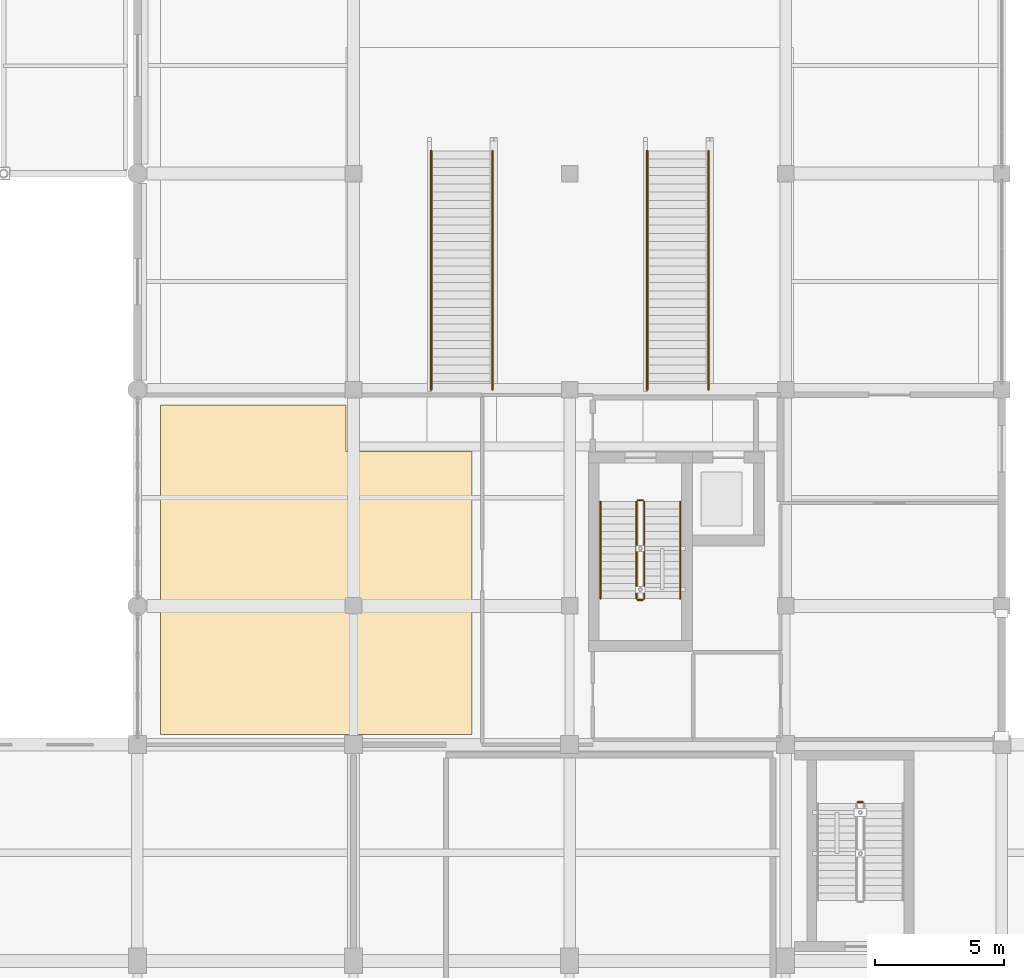
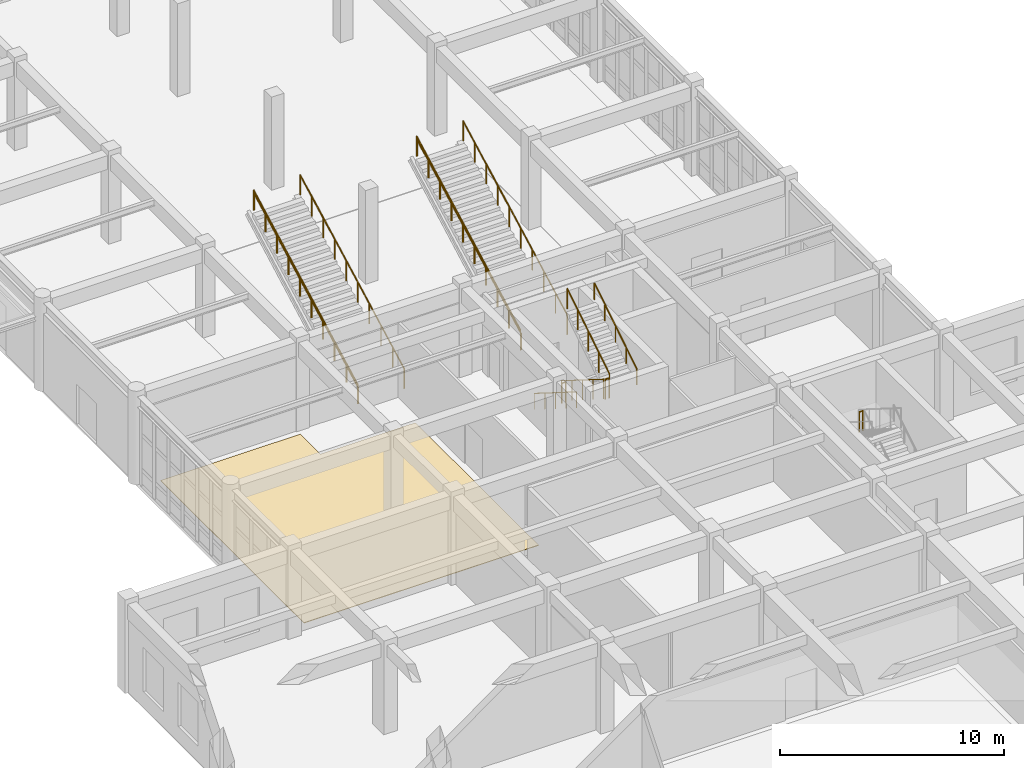
# One storey, part 75 of 80: 13 railings, 1 covering.
"""IFC4 building model written with IfcOpenShell, lengths in metres."""

from ifc_helpers import new_model, si_unit, direction, frame, origin, origin_2d, place, context, subcontext, project, spatial, polyline, circle, outline, extrude, material, layer, layer_set, type_object, element, save


model = new_model("IFC4")

# Units and contexts
model_context = context("Model", 3, precision=1e-05, world=origin(), true_north=direction((0.0, 1.0)))
body_context = subcontext(model_context, "Body", "Model", "MODEL_VIEW")
ifc_project = project(units=[si_unit("LENGTHUNIT", "METRE"), si_unit("AREAUNIT", "SQUARE_METRE"), si_unit("VOLUMEUNIT", "CUBIC_METRE"), si_unit("PLANEANGLEUNIT", "RADIAN"), si_unit("MASSUNIT", "GRAM", prefix="KILO")], contexts=[model_context])

# Site, building, storey
site_placement = place(None, origin())
site = spatial("IfcSite", under=ifc_project, at=site_placement, CompositionType="ELEMENT")
building_placement = place(site_placement, origin())
building = spatial("IfcBuilding", under=site, at=building_placement, Name="Krzemoval Escarpment Law Courts", CompositionType="ELEMENT")
storey_placement = place(building_placement, origin())
storey = spatial("IfcBuildingStorey", under=building, at=storey_placement, Name="L00", CompositionType="ELEMENT", Elevation=0.0)

# Covering
ifc_material_1 = material(Name="Honed Silesian Granite Stone Flooring", Category="masonry")
ifc_layer = layer(ifc_material_1, 0.030029296875)
ifc_layer_set = layer_set([ifc_layer], Name="Honed Silesian Granite Stone Flooring")
covering_type = type_object("IfcCoveringType", Name="COV-FLR-STN30", PredefinedType="FLOORING", material=ifc_layer_set)
covering_placement = place(storey_placement, origin())
element("IfcCovering", 1, at=covering_placement, inside=storey, type_object=covering_type, Name="Stone Floor Finish FLR-L00-06", PredefinedType="FLOORING", context=body_context, shape_type="SweptSolid", body=[
    extrude(outline(polyline([(21.39990234375, 35.800048828125), (9.300048828125, 35.800048828125), (9.300048828125, 48.60009765625), (16.5, 48.60009765625), (16.5, 46.800048828125), (21.39990234375, 46.800048828125), (21.39990234375, 35.800048828125)])), origin(), (0.0, 0.0, 1.0), 0.030029296875),
])

# Railings
ifc_material_2 = material(Name="Stainless Steel Grade 316L and Laminated Safety Glass Guard", Category="steel")
railing_type_1 = type_object("IfcRailingType", Name="RL-BAL-1100", PredefinedType="BALUSTRADE", material=ifc_material_2)
for number, where, name in (
    (2, (19.800048828125, 49.199951171875, 0.169921875), "Feature Stair Guard ST7-L00 L"),
    (3, (22.199951171875, 49.199951171875, 0.169921875), "Feature Stair Guard ST7-L00 R"),
    (4, (28.199951171875, 49.199951171875, 0.169921875), "Feature Stair Guard ST8-L00 L"),
    (5, (30.60009765625, 49.199951171875, 0.169921875), "Feature Stair Guard ST8-L00 R"),
):
    element("IfcRailing", number, at=place(storey_placement, frame(where)), inside=storey, type_object=railing_type_1, Name=name, PredefinedType="BALUSTRADE", context=body_context, shape_type="SweptSolid", body=[
        extrude(circle(Radius=0.02392578125, at=origin_2d()), frame((0.0, 0.0, 1.076171875), z_axis=(0.0, 0.883109402409, 0.469167116683), x_axis=(-1.0, 0.0, 0.0)), (0.0, 0.0, 1.0), 10.50830078125),
        extrude(circle(Radius=0.02099609375, at=origin_2d()), origin(), (0.0, 0.0, 1.0), 1.052001953125),
        extrude(circle(Radius=0.02099609375, at=origin_2d()), frame((0.0, 1.031005859375, 0.5478515625)), (0.0, 0.0, 1.0), 1.052001953125),
        extrude(circle(Radius=0.02099609375, at=origin_2d()), frame((0.0, 2.062255859375, 1.095703125)), (0.0, 0.0, 1.0), 1.052001953125),
        extrude(circle(Radius=0.02099609375, at=origin_2d()), frame((0.0, 3.09326171875, 1.643310546875)), (0.0, 0.0, 1.0), 1.052001953125),
        extrude(circle(Radius=0.02099609375, at=origin_2d()), frame((0.0, 4.12451171875, 2.191162109375)), (0.0, 0.0, 1.0), 1.052001953125),
        extrude(circle(Radius=0.02099609375, at=origin_2d()), frame((0.0, 5.155517578125, 2.739013671875)), (0.0, 0.0, 1.0), 1.052001953125),
        extrude(circle(Radius=0.02099609375, at=origin_2d()), frame((0.0, 6.186767578125, 3.286865234375)), (0.0, 0.0, 1.0), 1.052001953125),
        extrude(circle(Radius=0.02099609375, at=origin_2d()), frame((0.0, 7.2177734375, 3.83447265625)), (0.0, 0.0, 1.0), 1.052001953125),
        extrude(circle(Radius=0.02099609375, at=origin_2d()), frame((0.0, 8.2490234375, 4.38232421875)), (0.0, 0.0, 1.0), 1.052001953125),
        extrude(circle(Radius=0.02099609375, at=origin_2d()), frame((0.0, 9.280029296875, 4.93017578125)), (0.0, 0.0, 1.0), 1.052001953125),
    ])
ifc_material_3 = material(Name="Galvanised Steel S355", Category="steel")
railing_type_2 = type_object("IfcRailingType", Name="RL-GRD-1100", PredefinedType="GUARDRAIL", material=ifc_material_3)
railing_1_placement = place(storey_placement, frame((27.800048828125, 44.85009765625, 0.18212890625)))
element("IfcRailing", 6, at=railing_1_placement, inside=storey, type_object=railing_type_2, Name="L00 ST5 stair guard 1", PredefinedType="GUARDRAIL", context=body_context, shape_type="SweptSolid", body=[
    extrude(circle(Radius=0.02392578125, at=origin_2d()), frame((0.0, 0.0, 1.076171875), z_axis=(0.0, -0.846819337722, 0.53188063441), x_axis=(1.0, 0.0, 0.0)), (0.0, 0.0, 1.0), 4.451904296875),
    extrude(circle(Radius=0.02099609375, at=origin_2d()), origin(), (0.0, 0.0, 1.0), 1.052001953125),
    extrude(circle(Radius=0.02099609375, at=origin_2d()), frame((0.0, -0.9423828125, 0.592041015625)), (0.0, 0.0, 1.0), 1.052001953125),
    extrude(circle(Radius=0.02099609375, at=origin_2d()), frame((0.0, -1.885009765625, 1.18408203125)), (0.0, 0.0, 1.0), 1.052001953125),
    extrude(circle(Radius=0.02099609375, at=origin_2d()), frame((0.0, -2.82763671875, 1.77587890625)), (0.0, 0.0, 1.0), 1.052001953125),
    extrude(circle(Radius=0.02099609375, at=origin_2d()), frame((0.0, -3.77001953125, 2.367919921875)), (0.0, 0.0, 1.0), 1.052001953125),
])
railing_2_placement = place(storey_placement, frame((27.85009765625, 41.030029296875, 2.550048828125)))
element("IfcRailing", 7, at=railing_2_placement, inside=storey, type_object=railing_type_2, Name="L00 ST5 stair guard 2", PredefinedType="GUARDRAIL", context=body_context, shape_type="SweptSolid", body=[
    extrude(circle(Radius=0.02392578125, at=origin_2d()), frame((0.0, 0.0, 1.076171875), z_axis=(1.0, 0.0, 0.0), x_axis=(0.0, 1.0, 0.0)), (0.0, 0.0, 1.0), 0.199951171875),
    extrude(circle(Radius=0.02099609375, at=origin_2d()), origin(), (0.0, 0.0, 1.0), 1.052001953125),
    extrude(circle(Radius=0.02099609375, at=origin_2d()), frame((0.199951171875, 0.0, 0.0)), (0.0, 0.0, 1.0), 1.052001953125),
])
railing_3_placement = place(storey_placement, frame((28.10009765625, 41.080078125, 2.732177734375)))
element("IfcRailing", 8, at=railing_3_placement, inside=storey, type_object=railing_type_2, Name="L00 ST5 stair guard 3", PredefinedType="GUARDRAIL", context=body_context, shape_type="SweptSolid", body=[
    extrude(circle(Radius=0.02392578125, at=origin_2d()), frame((0.0, 0.0, 1.076171875), z_axis=(0.0, 0.846819337722, 0.53188063441), x_axis=(-1.0, 0.0, 0.0)), (0.0, 0.0, 1.0), 4.451904296875),
    extrude(circle(Radius=0.02099609375, at=origin_2d()), origin(), (0.0, 0.0, 1.0), 1.052001953125),
    extrude(circle(Radius=0.02099609375, at=origin_2d()), frame((0.0, 0.9423828125, 0.592041015625)), (0.0, 0.0, 1.0), 1.052001953125),
    extrude(circle(Radius=0.02099609375, at=origin_2d()), frame((0.0, 1.885009765625, 1.18408203125)), (0.0, 0.0, 1.0), 1.052001953125),
    extrude(circle(Radius=0.02099609375, at=origin_2d()), frame((0.0, 2.82763671875, 1.77587890625)), (0.0, 0.0, 1.0), 1.052001953125),
    extrude(circle(Radius=0.02099609375, at=origin_2d()), frame((0.0, 3.77001953125, 2.367919921875)), (0.0, 0.0, 1.0), 1.052001953125),
])
railing_4_placement = place(storey_placement, frame((27.85009765625, 44.89990234375, 0.0)))
element("IfcRailing", 9, at=railing_4_placement, inside=storey, type_object=railing_type_2, Name="L00 ST5 stair guard 4", PredefinedType="GUARDRAIL", context=body_context, shape_type="SweptSolid", body=[
    extrude(circle(Radius=0.02392578125, at=origin_2d()), frame((0.0, 0.0, 1.076171875), z_axis=(1.0, 0.0, 0.0), x_axis=(0.0, 1.0, 0.0)), (0.0, 0.0, 1.0), 0.199951171875),
    extrude(circle(Radius=0.02099609375, at=origin_2d()), origin(), (0.0, 0.0, 1.0), 1.052001953125),
    extrude(circle(Radius=0.02099609375, at=origin_2d()), frame((0.199951171875, 0.0, 0.0)), (0.0, 0.0, 1.0), 1.052001953125),
])
railing_5_placement = place(storey_placement, frame((36.60009765625, 33.169921875, 2.550048828125)))
element("IfcRailing", 10, at=railing_5_placement, inside=storey, type_object=railing_type_2, Name="L00 ST9 stair guard 2", PredefinedType="GUARDRAIL", context=body_context, shape_type="SweptSolid", body=[
    extrude(circle(Radius=0.02392578125, at=origin_2d()), frame((0.0, 0.0, 1.076171875), z_axis=(-1.0, 0.0, 0.0), x_axis=(0.0, -1.0, 0.0)), (0.0, 0.0, 1.0), 0.2001953125),
    extrude(circle(Radius=0.02099609375, at=origin_2d()), origin(), (0.0, 0.0, 1.0), 1.052001953125),
    extrude(circle(Radius=0.02099609375, at=origin_2d()), frame((-0.2001953125, 0.0, 0.0)), (0.0, 0.0, 1.0), 1.052001953125),
])
ifc_material_4 = material(Name="Brushed Stainless Steel Grade 304 Handrail", Category="steel")
railing_type_3 = type_object("IfcRailingType", Name="RL-HND-900", PredefinedType="HANDRAIL", material=ifc_material_4)
railing_6_placement = place(storey_placement, frame((26.39990234375, 44.85009765625, 0.18212890625)))
element("IfcRailing", 11, at=railing_6_placement, inside=storey, type_object=railing_type_3, Name="L00 ST5 stair handrail 1", PredefinedType="HANDRAIL", context=body_context, shape_type="SweptSolid", body=[
    extrude(circle(Radius=0.02392578125, at=origin_2d()), frame((0.0, 0.0, 0.8759765625), z_axis=(0.0, -0.846819337722, 0.53188063441), x_axis=(1.0, 0.0, 0.0)), (0.0, 0.0, 1.0), 4.451904296875),
    extrude(circle(Radius=0.02099609375, at=origin_2d()), origin(), (0.0, 0.0, 1.0), 0.851806640625),
    extrude(circle(Radius=0.02099609375, at=origin_2d()), frame((0.0, -0.9423828125, 0.592041015625)), (0.0, 0.0, 1.0), 0.851806640625),
    extrude(circle(Radius=0.02099609375, at=origin_2d()), frame((0.0, -1.885009765625, 1.18408203125)), (0.0, 0.0, 1.0), 0.851806640625),
    extrude(circle(Radius=0.02099609375, at=origin_2d()), frame((0.0, -2.82763671875, 1.77587890625)), (0.0, 0.0, 1.0), 0.851806640625),
    extrude(circle(Radius=0.02099609375, at=origin_2d()), frame((0.0, -3.77001953125, 2.367919921875)), (0.0, 0.0, 1.0), 0.851806640625),
])
railing_7_placement = place(storey_placement, frame((29.5, 41.080078125, 2.732177734375)))
element("IfcRailing", 12, at=railing_7_placement, inside=storey, type_object=railing_type_3, Name="L00 ST5 stair handrail 2", PredefinedType="HANDRAIL", context=body_context, shape_type="SweptSolid", body=[
    extrude(circle(Radius=0.02392578125, at=origin_2d()), frame((0.0, 0.0, 0.8759765625), z_axis=(0.0, 0.846819337722, 0.53188063441), x_axis=(-1.0, 0.0, 0.0)), (0.0, 0.0, 1.0), 4.451904296875),
    extrude(circle(Radius=0.02099609375, at=origin_2d()), origin(), (0.0, 0.0, 1.0), 0.851806640625),
    extrude(circle(Radius=0.02099609375, at=origin_2d()), frame((0.0, 0.9423828125, 0.592041015625)), (0.0, 0.0, 1.0), 0.851806640625),
    extrude(circle(Radius=0.02099609375, at=origin_2d()), frame((0.0, 1.885009765625, 1.18408203125)), (0.0, 0.0, 1.0), 0.851806640625),
    extrude(circle(Radius=0.02099609375, at=origin_2d()), frame((0.0, 2.82763671875, 1.77587890625)), (0.0, 0.0, 1.0), 0.851806640625),
    extrude(circle(Radius=0.02099609375, at=origin_2d()), frame((0.0, 3.77001953125, 2.367919921875)), (0.0, 0.0, 1.0), 0.851806640625),
])
for number, where, name in (
    (13, (19.830078125, 49.199951171875, 0.169921875), "Feature Stair Handrail ST7-L00"),
    (14, (28.22998046875, 49.199951171875, 0.169921875), "Feature Stair Handrail ST8-L00"),
):
    element("IfcRailing", number, at=place(storey_placement, frame(where)), inside=storey, type_object=railing_type_3, Name=name, PredefinedType="HANDRAIL", context=body_context, shape_type="SweptSolid", body=[
        extrude(circle(Radius=0.02392578125, at=origin_2d()), frame((0.0, 0.0, 0.8759765625), z_axis=(0.0, 0.883109402409, 0.469167116683), x_axis=(-1.0, 0.0, 0.0)), (0.0, 0.0, 1.0), 10.50830078125),
        extrude(circle(Radius=0.02099609375, at=origin_2d()), origin(), (0.0, 0.0, 1.0), 0.851806640625),
        extrude(circle(Radius=0.02099609375, at=origin_2d()), frame((0.0, 1.031005859375, 0.5478515625)), (0.0, 0.0, 1.0), 0.851806640625),
        extrude(circle(Radius=0.02099609375, at=origin_2d()), frame((0.0, 2.062255859375, 1.095703125)), (0.0, 0.0, 1.0), 0.851806640625),
        extrude(circle(Radius=0.02099609375, at=origin_2d()), frame((0.0, 3.09326171875, 1.643310546875)), (0.0, 0.0, 1.0), 0.851806640625),
        extrude(circle(Radius=0.02099609375, at=origin_2d()), frame((0.0, 4.12451171875, 2.191162109375)), (0.0, 0.0, 1.0), 0.851806640625),
        extrude(circle(Radius=0.02099609375, at=origin_2d()), frame((0.0, 5.155517578125, 2.739013671875)), (0.0, 0.0, 1.0), 0.851806640625),
        extrude(circle(Radius=0.02099609375, at=origin_2d()), frame((0.0, 6.186767578125, 3.286865234375)), (0.0, 0.0, 1.0), 0.851806640625),
        extrude(circle(Radius=0.02099609375, at=origin_2d()), frame((0.0, 7.2177734375, 3.83447265625)), (0.0, 0.0, 1.0), 0.851806640625),
        extrude(circle(Radius=0.02099609375, at=origin_2d()), frame((0.0, 8.2490234375, 4.38232421875)), (0.0, 0.0, 1.0), 0.851806640625),
        extrude(circle(Radius=0.02099609375, at=origin_2d()), frame((0.0, 9.280029296875, 4.93017578125)), (0.0, 0.0, 1.0), 0.851806640625),
    ])

save(model, "model.ifc")
